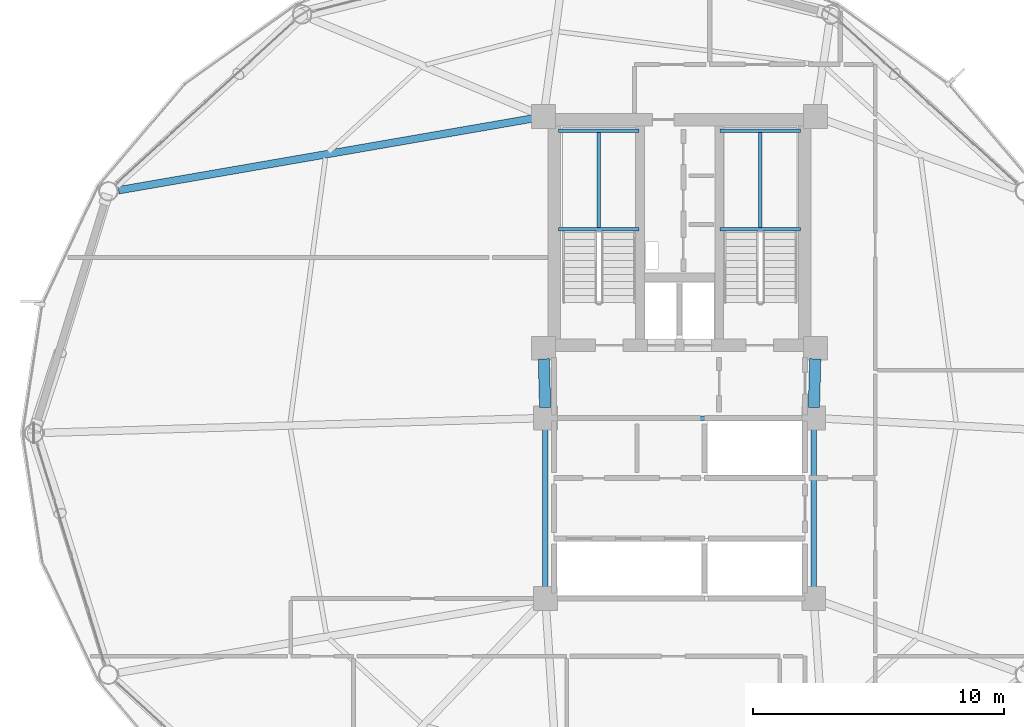
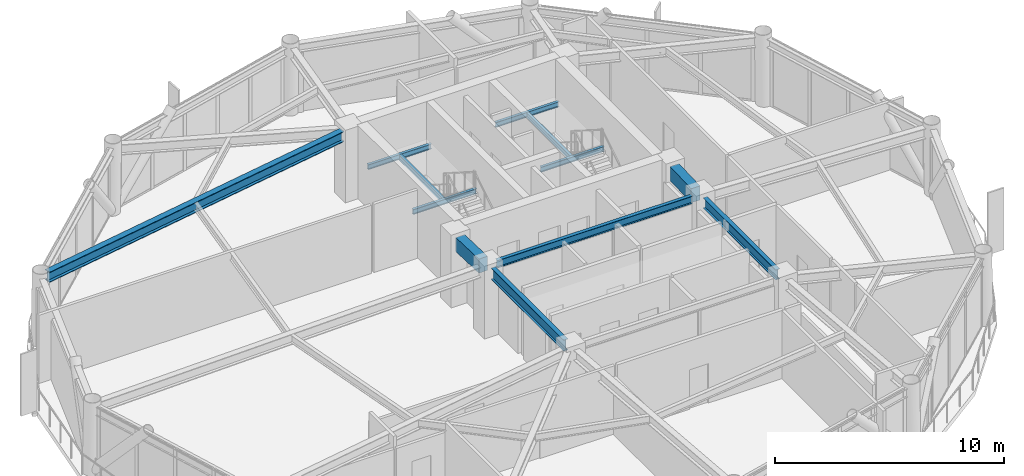
# One storey, part 11 of 25: 12 beams.
"""IFC4 building model written with IfcOpenShell, lengths in metres."""

from ifc_helpers import new_model, si_unit, direction, frame, origin, origin_2d, place, context, subcontext, project, spatial, rectangle, i_section, extrude, material, material_profile, profile_set, type_object, element, save


model = new_model("IFC4")

# Units and contexts
model_context = context("Model", 3, precision=1e-05, world=origin(), true_north=direction((0.0, 1.0)))
body_context = subcontext(model_context, "Body", "Model", "MODEL_VIEW")
ifc_project = project(units=[si_unit("LENGTHUNIT", "METRE"), si_unit("AREAUNIT", "SQUARE_METRE"), si_unit("VOLUMEUNIT", "CUBIC_METRE"), si_unit("PLANEANGLEUNIT", "RADIAN"), si_unit("MASSUNIT", "GRAM", prefix="KILO")], contexts=[model_context])

# Site, building, storey
site_placement = place(None, origin())
site = spatial("IfcSite", under=ifc_project, at=site_placement, CompositionType="ELEMENT")
building_placement = place(site_placement, origin())
building = spatial("IfcBuilding", under=site, at=building_placement, Name="Varnakorn Sky Granary", CompositionType="ELEMENT")
storey_placement = place(building_placement, frame((0.0, 0.0, 122.699951171875)))
storey = spatial("IfcBuildingStorey", under=building, at=storey_placement, Name="L30", CompositionType="ELEMENT", Elevation=122.699951171875)

# Beams
ifc_material_1 = material(Name="Steel S355JR", Category="steel")
ifc_material_profile_1 = material_profile(ifc_material_1, i_section(OverallWidth=0.2099609375, OverallDepth=0.550048828125, WebThickness=0.010986328125, FlangeThickness=0.01708984375, at=origin_2d()), Name="IPE 550")
ifc_profile_set_1 = profile_set([ifc_material_profile_1], Name="Steel S355JR")
beam_type_1 = type_object("IfcBeamType", Name="BM-JST-550", PredefinedType="JOIST", material=ifc_profile_set_1)
beam_1_placement = place(storey_placement, frame((8.35009765625, 0.179931640625, 3.364990234375), z_axis=(0.0, -1.0, 0.0), x_axis=(1.0, 0.0, 0.0)))
element("IfcBeam", 1, at=beam_1_placement, inside=storey, type_object=beam_type_1, Name="Core Spine Framing Beam 4 L30", PredefinedType="JOIST", context=body_context, shape_type="SweptSolid", body=[
    extrude(i_section(OverallWidth=0.2099609375, OverallDepth=0.550048828125, WebThickness=0.010986328125, FlangeThickness=0.01708984375, at=origin_2d()), origin(), (0.0, 0.0, 1.0), 6.35986328125),
])
ifc_material_profile_2 = material_profile(ifc_material_1, i_section(OverallWidth=0.219970703125, OverallDepth=0.60009765625, WebThickness=0.011962890625, FlangeThickness=0.01904296875, at=origin_2d()), Name="IPE 600")
ifc_profile_set_2 = profile_set([ifc_material_profile_2], Name="Steel S355JR")
beam_type_2 = type_object("IfcBeamType", Name="BM-JST-600", PredefinedType="JOIST", material=ifc_profile_set_2)
beam_2_placement = place(storey_placement, frame((-2.35009765625, 0.179931640625, 3.340087890625), z_axis=(0.0, -1.0, 0.0), x_axis=(1.0, 0.0, 0.0)))
element("IfcBeam", 2, at=beam_2_placement, inside=storey, type_object=beam_type_2, Name="Core Spine Framing Beam 3 L30", PredefinedType="JOIST", context=body_context, shape_type="SweptSolid", body=[
    extrude(i_section(OverallWidth=0.219970703125, OverallDepth=0.60009765625, WebThickness=0.011962890625, FlangeThickness=0.01904296875, at=origin_2d()), origin(), (0.0, 0.0, 1.0), 6.35986328125),
])
ifc_material_2 = material(Name="Concrete C60/75", Category="concrete")
ifc_material_profile_3 = material_profile(ifc_material_2, rectangle(XDim=0.449951171875, YDim=0.75, at=origin_2d()), Name="RC 450x750")
ifc_profile_set_3 = profile_set([ifc_material_profile_3], Name="Concrete C60/75")
beam_type_3 = type_object("IfcBeamType", Name="BM-LIN-750", PredefinedType="LINTEL", material=ifc_profile_set_3)
for number, where, z_axis, x_axis, name in (
    (3, (-2.409423828125, 2.960205078125, 3.26513671875), (0.025158763514, -0.999683468213, 0.0), (0.999683468213, 0.025158763514, 0.0), "Core Spine Framing Beam 1 L30"),
    (4, (8.409423828125, 2.960205078125, 3.26513671875), (-0.025158763514, -0.999683468213, 0.0), (0.999683468213, -0.025158763514, 0.0), "Core Spine Framing Beam 2 L30"),
):
    element("IfcBeam", number, at=place(storey_placement, frame(where, z_axis=z_axis, x_axis=x_axis)), inside=storey, type_object=beam_type_3, Name=name, PredefinedType="LINTEL", context=body_context, shape_type="SweptSolid", body=[
        extrude(rectangle(XDim=0.449951171875, YDim=0.75, at=origin_2d()), origin(), (0.0, 0.0, 1.0), 1.94091796875),
    ])
ifc_material_profile_4 = material_profile(ifc_material_1, i_section(OverallWidth=0.135009765625, OverallDepth=0.27001953125, WebThickness=0.006591796875, FlangeThickness=0.01025390625, at=origin_2d()), Name="IPE 270")
ifc_profile_set_4 = profile_set([ifc_material_profile_4], Name="Steel S355JR")
beam_type_4 = type_object("IfcBeamType", Name="BM-LND-270", PredefinedType="BEAM", material=ifc_profile_set_4)
for number, where, z_axis, x_axis, name in (
    (5, (-1.820068359375, 8.1201171875, 1.614990234375), (1.0, 0.0, 0.0), (0.0, 1.0, 0.0), "Stair ST-1 Landing Trimmer Beam A L30-1"),
    (6, (-1.820068359375, 12.06005859375, 1.614990234375), (1.0, 0.0, 0.0), (0.0, 1.0, 0.0), "Stair ST-1 Landing Trimmer Beam B L30-1"),
):
    element("IfcBeam", number, at=place(storey_placement, frame(where, z_axis=z_axis, x_axis=x_axis)), inside=storey, type_object=beam_type_4, Name=name, PredefinedType="BEAM", context=body_context, shape_type="SweptSolid", body=[
        extrude(i_section(OverallWidth=0.135009765625, OverallDepth=0.27001953125, WebThickness=0.006591796875, FlangeThickness=0.01025390625, at=origin_2d()), origin(), (0.0, 0.0, 1.0), 3.199951171875),
    ])
beam_3_placement = place(storey_placement, frame((-0.219970703125, 8.1201171875, 1.614990234375), z_axis=(0.0, 1.0, 0.0), x_axis=(-1.0, 0.0, 0.0)))
element("IfcBeam", 7, at=beam_3_placement, inside=storey, type_object=beam_type_4, Name="Stair ST-1 Landing Cross Beam C L30-1", PredefinedType="BEAM", context=body_context, shape_type="SweptSolid", body=[
    extrude(i_section(OverallWidth=0.135009765625, OverallDepth=0.27001953125, WebThickness=0.006591796875, FlangeThickness=0.01025390625, at=origin_2d()), origin(), (0.0, 0.0, 1.0), 3.93994140625),
])
for number, where, z_axis, x_axis, name in (
    (8, (4.6201171875, 8.1201171875, 1.614990234375), (1.0, 0.0, 0.0), (0.0, 1.0, 0.0), "Stair ST-2 Landing Trimmer Beam A L30-1"),
    (9, (4.6201171875, 12.06005859375, 1.614990234375), (1.0, 0.0, 0.0), (0.0, 1.0, 0.0), "Stair ST-2 Landing Trimmer Beam B L30-1"),
):
    element("IfcBeam", number, at=place(storey_placement, frame(where, z_axis=z_axis, x_axis=x_axis)), inside=storey, type_object=beam_type_4, Name=name, PredefinedType="BEAM", context=body_context, shape_type="SweptSolid", body=[
        extrude(i_section(OverallWidth=0.135009765625, OverallDepth=0.27001953125, WebThickness=0.006591796875, FlangeThickness=0.01025390625, at=origin_2d()), origin(), (0.0, 0.0, 1.0), 3.199951171875),
    ])
beam_4_placement = place(storey_placement, frame((6.219970703125, 8.1201171875, 1.614990234375), z_axis=(0.0, 1.0, 0.0), x_axis=(-1.0, 0.0, 0.0)))
element("IfcBeam", 10, at=beam_4_placement, inside=storey, type_object=beam_type_4, Name="Stair ST-2 Landing Cross Beam C L30-1", PredefinedType="BEAM", context=body_context, shape_type="SweptSolid", body=[
    extrude(i_section(OverallWidth=0.135009765625, OverallDepth=0.27001953125, WebThickness=0.006591796875, FlangeThickness=0.01025390625, at=origin_2d()), origin(), (0.0, 0.0, 1.0), 3.93994140625),
])
ifc_material_profile_5 = material_profile(ifc_material_1, i_section(OverallWidth=0.300048828125, OverallDepth=0.550048828125, WebThickness=0.014892578125, FlangeThickness=0.029052734375, at=origin_2d()), Name="HE 550 B")
ifc_profile_set_5 = profile_set([ifc_material_profile_5], Name="Steel S355JR")
beam_type_5 = type_object("IfcBeamType", Name="BM-RAD-Z3", PredefinedType="BEAM", material=ifc_profile_set_5)
beam_5_placement = place(storey_placement, frame((-2.833740234375, 12.54833984375, 3.364990234375), z_axis=(-0.985301850026, -0.170822318023, 0.0), x_axis=(0.170822318023, -0.985301850026, 0.0)))
element("IfcBeam", 11, at=beam_5_placement, inside=storey, type_object=beam_type_5, Name="Radial Floor Girder RG06 L30", PredefinedType="BEAM", context=body_context, shape_type="SweptSolid", body=[
    extrude(i_section(OverallWidth=0.300048828125, OverallDepth=0.550048828125, WebThickness=0.014892578125, FlangeThickness=0.029052734375, at=origin_2d()), origin(), (0.0, 0.0, 1.0), 16.7802734375),
])
ifc_material_profile_6 = material_profile(ifc_material_1, i_section(OverallWidth=0.179931640625, OverallDepth=0.39990234375, WebThickness=0.008544921875, FlangeThickness=0.013427734375, at=origin_2d()), Name="IPE 400")
ifc_profile_set_6 = profile_set([ifc_material_profile_6], Name="Steel S355JR")
beam_type_6 = type_object("IfcBeamType", Name="BM-SEC-Z3", PredefinedType="BEAM", material=ifc_profile_set_6)
beam_6_placement = place(storey_placement, frame((-1.929931640625, 0.60009765625, 3.43994140625), z_axis=(1.0, 0.0, 0.0), x_axis=(0.0, 1.0, 0.0)))
element("IfcBeam", 12, at=beam_6_placement, inside=storey, type_object=beam_type_6, Name="Core Spine Framing Beam 5 L30", PredefinedType="BEAM", context=body_context, shape_type="SweptSolid", body=[
    extrude(i_section(OverallWidth=0.179931640625, OverallDepth=0.39990234375, WebThickness=0.008544921875, FlangeThickness=0.013427734375, at=origin_2d()), origin(), (0.0, 0.0, 1.0), 9.85986328125),
])

save(model, "model.ifc")
